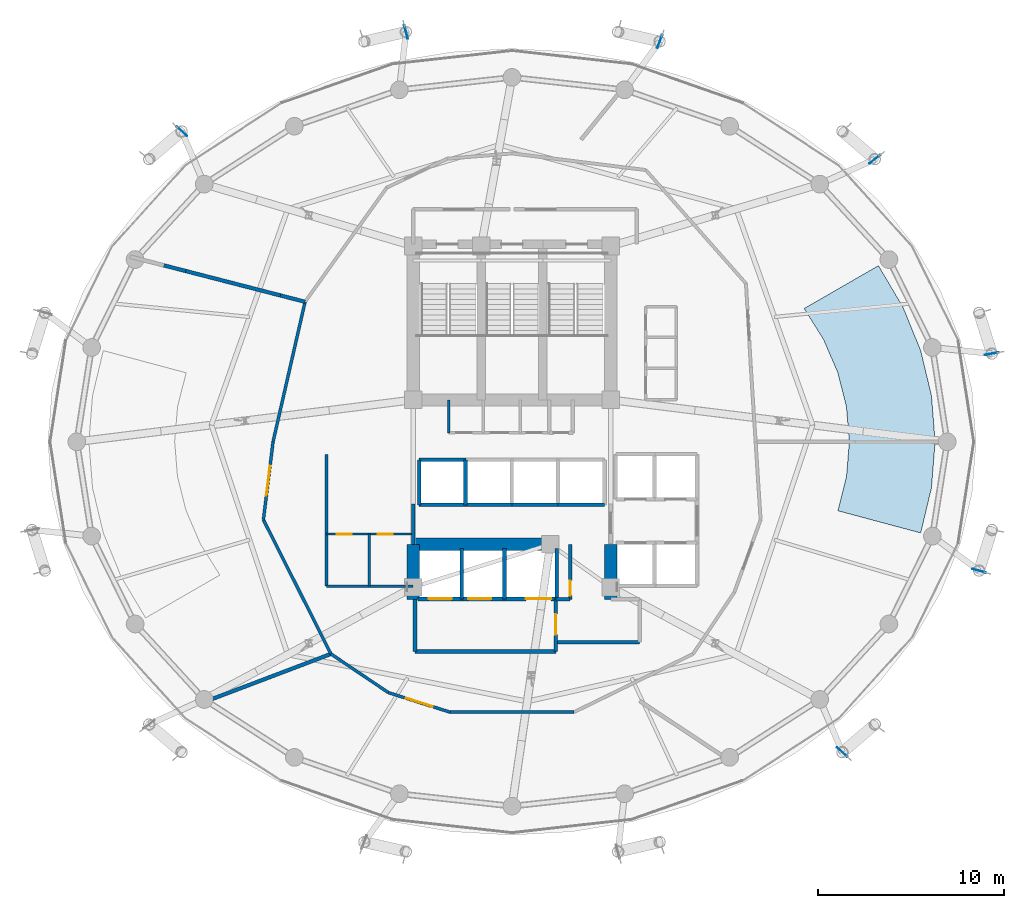
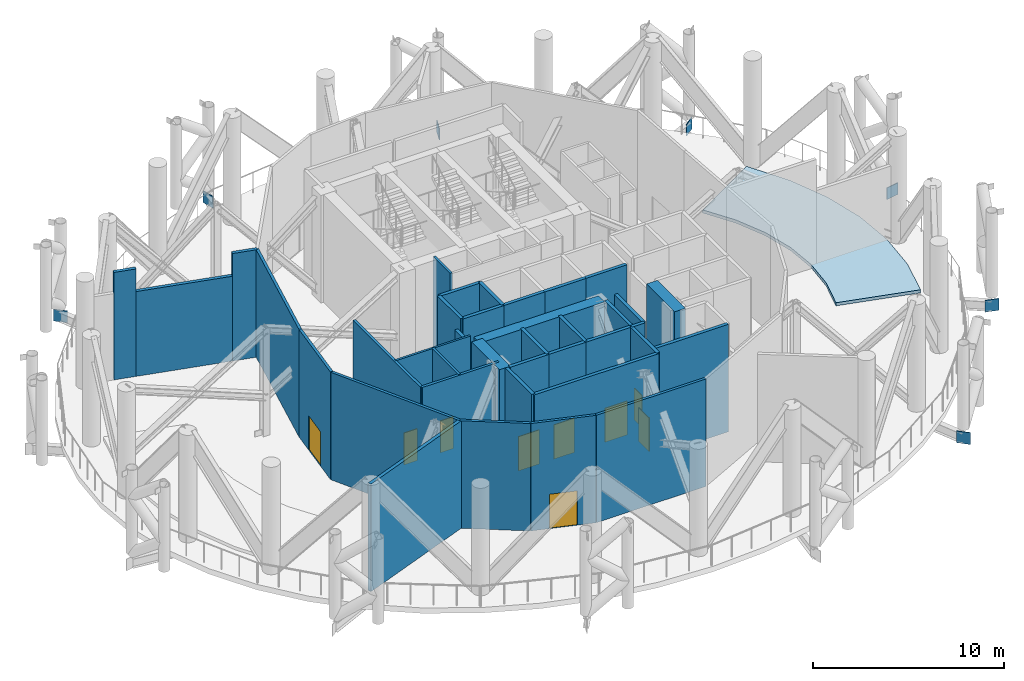
# One storey, part 7 of 18: 38 walls, 9 doors, 7 plates, 1 slab, 9 openings.
"""IFC4 building model written with IfcOpenShell, lengths in metres."""

from ifc_helpers import new_model, si_unit, direction, frame, frame_2d, origin, origin_2d, place, context, subcontext, project, spatial, polyline, rectangle, outline, extrude, material, layer, layer_set, type_object, element, fill, save


model = new_model("IFC4")

# Units and contexts
model_context = context("Model", 3, precision=1e-05, world=origin(), true_north=direction((0.0, 1.0)))
body_context = subcontext(model_context, "Body", "Model", "MODEL_VIEW")
ifc_project = project(units=[si_unit("LENGTHUNIT", "METRE"), si_unit("AREAUNIT", "SQUARE_METRE"), si_unit("VOLUMEUNIT", "CUBIC_METRE"), si_unit("PLANEANGLEUNIT", "RADIAN"), si_unit("MASSUNIT", "GRAM", prefix="KILO")], contexts=[model_context])

# Site, building, storey
site_placement = place(None, origin())
site = spatial("IfcSite", under=ifc_project, at=site_placement, CompositionType="ELEMENT")
building_placement = place(site_placement, origin())
building = spatial("IfcBuilding", under=site, at=building_placement, Name="Nuhasar Tower", CompositionType="ELEMENT")
storey_placement = place(building_placement, frame((0.0, 0.0, 195.949951171875)))
storey = spatial("IfcBuildingStorey", under=building, at=storey_placement, Name="L48", CompositionType="ELEMENT", Elevation=195.949951171875)

# Plates
ifc_material_1 = material(Name="Steel S460", Category="steel")
ifc_layer_1 = layer(ifc_material_1, 0.0400390625)
ifc_layer_set_1 = layer_set([ifc_layer_1], Name="Steel S460")
plate_type = type_object("IfcPlateType", Name="PLT-GUSSET-40", PredefinedType="SHEET", material=ifc_layer_set_1)
for number, where, z_axis, x_axis, name in (
    (1, (64.748046875, 31.52587890625, -1.031005859375), (0.0, 0.0, 1.0), (0.98356832001, 0.180536311784, 0.0), "L48 Bronze Diagrid Gusset Node Plate 01"),
    (2, (58.470947265625, 41.9619140625, -1.031005859375), (0.0, 0.0, 1.0), (0.788998306749, 0.614395371034, 0.0), "L48 Bronze Diagrid Gusset Node Plate 02"),
    (3, (46.927978515625, 48.27587890625, -1.031005859375), (0.0, 0.0, 1.0), (0.346313543819, 0.938118824759, 0.0), "L48 Bronze Diagrid Gusset Node Plate 03"),
    (4, (33.31396484375, 48.7900390625, -1.031005859375), (0.0, 0.0, 1.0), (-0.250346209174, 0.968156379699, 0.0), "L48 Bronze Diagrid Gusset Node Plate 04"),
    (5, (21.277099609375, 43.45703125, -1.031005859375), (0.0, 0.0, 1.0), (-0.728681821056, 0.684852395529, 0.0), "L48 Bronze Diagrid Gusset Node Plate 05"),
    (6, (56.722900390625, 10.14306640625, -1.031005859375), (0.0, 0.0, 1.0), (0.728681821056, -0.684852395529, 0.0), "L48 Bronze Diagrid Gusset Node Plate 11"),
    (7, (64.06005859375, 19.87890625, -1.031005859375), (0.0, 0.0, 1.0), (0.963914422589, -0.266212294842, 0.0), "L48 Bronze Diagrid Gusset Node Plate 12"),
):
    element("IfcPlate", number, at=place(storey_placement, frame(where, z_axis=z_axis, x_axis=x_axis)), inside=storey, type_object=plate_type, Name=name, PredefinedType="SHEET", context=body_context, shape_type="SweptSolid", body=[
        extrude(rectangle(XDim=0.75, YDim=0.0400390625, at=origin_2d()), origin(), (0.0, 0.0, 1.0), 0.75),
    ])

# Slab
ifc_material_2 = material(Name="Concrete C50/60", Category="concrete")
ifc_layer_2 = layer(ifc_material_2, 0.199951171875)
ifc_layer_set_2 = layer_set([ifc_layer_2], Name="Concrete C50/60")
slab_type = type_object("IfcSlabType", Name="SLB-PLN-200", PredefinedType="BASESLAB", material=ifc_layer_set_2)
slab_placement = place(storey_placement, origin())
element("IfcSlab", 8, at=slab_placement, inside=storey, type_object=slab_type, Name="L48 Mechanical Plant Plinth Slab East", PredefinedType="BASESLAB", context=body_context, shape_type="SweptSolid", body=[
    extrude(outline(polyline([(60.927001953125, 21.907958984375), (61.506103515625, 24.3330078125), (61.699951171875, 26.800048828125), (61.506103515625, 29.26708984375), (60.927001953125, 31.69189453125), (59.971923828125, 34.032958984375), (58.658935546875, 36.25), (54.675048828125, 33.949951171875), (55.721923828125, 32.27197265625), (56.48291015625, 30.5009765625), (56.945068359375, 28.6669921875), (57.10009765625, 26.800048828125), (56.945068359375, 24.93310546875), (56.48291015625, 23.09912109375), (60.927001953125, 21.907958984375)])), origin(), (0.0, 0.0, 1.0), 0.199951171875),
])

# Walls
ifc_material_3 = material(Name="Concrete C65/80", Category="concrete")
ifc_layer_3 = layer(ifc_material_3, 0.64990234375)
ifc_layer_set_3 = layer_set([ifc_layer_3], Name="Concrete C65/80")
wall_type_1 = type_object("IfcWallType", Name="WL-CORE-650", PredefinedType="SHEAR", material=ifc_layer_set_3)
for number, where, z_axis, x_axis, name in (
    (9, (33.699951171875, 18.35009765625, 0.0), (0.0, 0.0, 1.0), (0.0, 1.0, 0.0), "L48 Core Shear Wall CW-SW CW-650"),
    (10, (44.300048828125, 18.35009765625, 0.0), (0.0, 0.0, 1.0), (0.0, 1.0, 0.0), "L48 Core Shear Wall CW-SE CW-650"),
):
    element("IfcWall", number, at=place(storey_placement, frame(where, z_axis=z_axis, x_axis=x_axis)), inside=storey, type_object=wall_type_1, Name=name, PredefinedType="SHEAR", context=body_context, shape_type="SweptSolid", body=[
        extrude(rectangle(XDim=2.949951171875, YDim=0.64990234375, at=frame_2d((1.47509765625, 0.0))), origin(), (0.0, 0.0, 1.0), 6.880126953125),
    ])
wall_1_placement = place(storey_placement, frame((33.699951171875, 21.300048828125, 0.0), z_axis=(0.0, 0.0, 1.0), x_axis=(1.0, 0.0, 0.0)))
element("IfcWall", 11, at=wall_1_placement, inside=storey, type_object=wall_type_1, Name="L48 Core Shear Wall CW-S1 CW-650", PredefinedType="SHEAR", context=body_context, shape_type="SweptSolid", body=[
    extrude(rectangle(XDim=7.550048828125, YDim=0.64990234375, at=frame_2d((3.77490234375, 0.0))), origin(), (0.0, 0.0, 1.0), 6.880126953125),
])
ifc_material_4 = material(Name="Gypsum Board", Category="gypsum")
ifc_layer_4 = layer(ifc_material_4, 0.159912109375)
ifc_layer_set_4 = layer_set([ifc_layer_4], Name="Gypsum Board")
wall_type_2 = type_object("IfcWallType", Name="WL-CORR-160", PredefinedType="PARTITIONING", material=ifc_layer_set_4)
wall_2_placement = place(storey_placement, frame((29.050048828125, 19.050048828125, 0.0), z_axis=(0.0, 0.0, 1.0), x_axis=(1.0, 0.0, 0.0)))
element("IfcWall", 12, at=wall_2_placement, inside=storey, type_object=wall_type_2, Name="L48 Interior Partition RECL-B1-S", PredefinedType="PARTITIONING", context=body_context, shape_type="SweptSolid", body=[
    extrude(rectangle(XDim=4.64990234375, YDim=0.159912109375, at=frame_2d((2.324951171875, 0.0))), origin(), (0.0, 0.0, 1.0), 6.880126953125),
])
wall_3_placement = place(storey_placement, frame((29.050048828125, 19.050048828125, 0.0), z_axis=(0.0, 0.0, 1.0), x_axis=(0.0, 1.0, 0.0)))
element("IfcWall", 13, at=wall_3_placement, inside=storey, type_object=wall_type_2, Name="L48 Interior Partition RECL-B1-W", PredefinedType="PARTITIONING", context=body_context, shape_type="SweptSolid", body=[
    extrude(rectangle(XDim=7.070068359375, YDim=0.159912109375, at=frame_2d((3.53515625, 0.0))), origin(), (0.0, 0.0, 1.0), 6.880126953125),
])
wall_4_placement = place(storey_placement, frame((27.89794921875, 34.31005859375, 0.0), z_axis=(0.0, 0.0, 1.0), x_axis=(-0.223002916051, -0.974817777553, 0.0)))
element("IfcWall", 14, at=wall_4_placement, inside=storey, type_object=wall_type_2, Name="L48 Interior Partition CORR-20", PredefinedType="PARTITIONING", context=body_context, shape_type="SweptSolid", body=[
    extrude(rectangle(XDim=7.7041015625, YDim=0.159912109375, at=frame_2d((3.85205078125, 0.0))), origin(), (0.0, 0.0, 1.0), 6.880126953125),
])

# Wall, opening, door
wall_5_placement = place(storey_placement, frame((25.6630859375, 22.614013671875, 0.0), z_axis=(0.0, 0.0, 1.0), x_axis=(0.122538537921, 0.992463755874, 0.0)))
wall_5 = element("IfcWall", 15, at=wall_5_placement, inside=storey, type_object=wall_type_2, Name="L48 Interior Partition CORR-24", PredefinedType="PARTITIONING", context=body_context, shape_type="SweptSolid", body=[
    extrude(rectangle(XDim=4.2177734375, YDim=0.159912109375, at=frame_2d((2.10888671875, 0.0))), origin(), (0.0, 0.0, 1.0), 6.880126953125),
])
opening_1_placement = place(wall_5_placement, frame((1.30908203125, 0.0, 0.0)))
opening_1 = element("IfcOpeningElement", 16, at=opening_1_placement, cuts=wall_5, Name="Opening DC-01", PredefinedType="OPENING", context=body_context, shape_type="SweptSolid", body=[
    extrude(rectangle(XDim=1.60009765625, YDim=2.199951171875, at=frame_2d((0.800048828125, 1.10009765625))), frame((0.0, 0.08984375, 0.0), z_axis=(0.0, -1.0, 0.0), x_axis=(1.0, 0.0, 0.0)), (0.0, 0.0, 1.0), 0.179931640625),
])
ifc_material_5 = material(Name="Steel S355", Category="steel")
door_type_1 = type_object("IfcDoorType", Name="DR-CORR-FD60-1600", OperationType="DOUBLE_DOOR_SINGLE_SWING", PredefinedType="DOOR", material=ifc_material_5)
door_1_placement = place(opening_1_placement, origin())
door_1 = element("IfcDoor", 17, at=door_1_placement, inside=storey, type_object=door_type_1, Name="L48 West Refuge Area Door", OperationType="DOUBLE_DOOR_SINGLE_SWING", OverallHeight=2.199951171875, OverallWidth=1.60009765625, PredefinedType="DOOR", context=body_context, shape_type="SweptSolid", body=[
    extrude(rectangle(XDim=1.60009765625, YDim=2.199951171875, at=frame_2d((0.800048828125, 1.10009765625))), frame((0.0, 0.02490234375, 0.0), z_axis=(0.0, -1.0, 0.0), x_axis=(1.0, 0.0, 0.0)), (0.0, 0.0, 1.0), 0.050048828125),
])
fill(opening_1, door_1)

# Walls
wall_6_placement = place(storey_placement, frame((25.6630859375, 22.614013671875, 0.0), z_axis=(0.0, 0.0, 1.0), x_axis=(0.449672541353, -0.893193487187, 0.0)))
element("IfcWall", 18, at=wall_6_placement, inside=storey, type_object=wall_type_2, Name="L48 Interior Partition CORR-26", PredefinedType="PARTITIONING", context=body_context, shape_type="SweptSolid", body=[
    extrude(rectangle(XDim=8.056640625, YDim=0.159912109375, at=frame_2d((4.0283203125, 0.0))), origin(), (0.0, 0.0, 1.0), 6.880126953125),
])
wall_7_placement = place(storey_placement, frame((29.285888671875, 15.41796875, 0.0), z_axis=(0.0, 0.0, 1.0), x_axis=(0.829606474383, -0.558348544962, 0.0)))
element("IfcWall", 19, at=wall_7_placement, inside=storey, type_object=wall_type_2, Name="L48 Interior Partition CORR-30", PredefinedType="PARTITIONING", context=body_context, shape_type="SweptSolid", body=[
    extrude(rectangle(XDim=3.71630859375, YDim=0.159912109375, at=frame_2d((1.858154296875, 0.0))), origin(), (0.0, 0.0, 1.0), 6.880126953125),
])

# Wall, opening, door
wall_8_placement = place(storey_placement, frame((35.681884765625, 12.2919921875, 0.0), z_axis=(0.0, 0.0, 1.0), x_axis=(-0.953183734956, 0.302391744951, 0.0)))
wall_8 = element("IfcWall", 20, at=wall_8_placement, inside=storey, type_object=wall_type_2, Name="L48 Interior Partition CORR-32", PredefinedType="PARTITIONING", context=body_context, shape_type="SweptSolid", body=[
    extrude(rectangle(XDim=3.4755859375, YDim=0.159912109375, at=frame_2d((1.73779296875, 0.0))), origin(), (0.0, 0.0, 1.0), 6.880126953125),
])
opening_2_placement = place(wall_8_placement, frame((0.988037109375, 0.0, 0.0)))
opening_2 = element("IfcOpeningElement", 21, at=opening_2_placement, cuts=wall_8, Name="Opening DP-01", PredefinedType="OPENING", context=body_context, shape_type="SweptSolid", body=[
    extrude(rectangle(XDim=1.5, YDim=2.199951171875, at=frame_2d((0.75, 1.10009765625))), frame((0.0, 0.08984375, 0.0), z_axis=(0.0, -1.0, 0.0), x_axis=(1.0, 0.0, 0.0)), (0.0, 0.0, 1.0), 0.179931640625),
])
door_type_2 = type_object("IfcDoorType", Name="DR-PLANT-FD120-1500", OperationType="DOUBLE_DOOR_SINGLE_SWING", PredefinedType="DOOR", material=ifc_material_5)
door_2_placement = place(opening_2_placement, origin())
door_2 = element("IfcDoor", 22, at=door_2_placement, inside=storey, type_object=door_type_2, Name="L48 South Chiller & Pump Plant Door", OperationType="DOUBLE_DOOR_SINGLE_SWING", OverallHeight=2.199951171875, OverallWidth=1.5, PredefinedType="DOOR", context=body_context, shape_type="SweptSolid", body=[
    extrude(rectangle(XDim=1.5, YDim=2.199951171875, at=frame_2d((0.75, 1.10009765625))), frame((0.0, 0.02490234375, 0.0), z_axis=(0.0, -1.0, 0.0), x_axis=(1.0, 0.0, 0.0)), (0.0, 0.0, 1.0), 0.050048828125),
])
fill(opening_2, door_2)

# Walls
wall_9_placement = place(storey_placement, frame((35.681884765625, 12.2919921875, 0.0), z_axis=(0.0, 0.0, 1.0), x_axis=(1.0, 0.0, 0.0)))
element("IfcWall", 23, at=wall_9_placement, inside=storey, type_object=wall_type_2, Name="L48 Interior Partition CORR-34", PredefinedType="PARTITIONING", context=body_context, shape_type="SweptSolid", body=[
    extrude(rectangle(XDim=6.63623046875, YDim=0.159912109375, at=frame_2d((3.318115234375, 0.0))), origin(), (0.0, 0.0, 1.0), 6.880126953125),
])
ifc_material_6 = material(Name="Concrete C45/55", Category="concrete")
ifc_layer_5 = layer(ifc_material_6, 0.199951171875)
ifc_layer_set_5 = layer_set([ifc_layer_5], Name="Concrete C45/55")
wall_type_3 = type_object("IfcWallType", Name="WL-LOBBY-200", PredefinedType="SOLIDWALL", material=ifc_layer_set_5)
wall_10_placement = place(storey_placement, frame((33.699951171875, 21.300048828125, 0.0), z_axis=(0.0, 0.0, 1.0), x_axis=(0.0, 1.0, 0.0)))
element("IfcWall", 24, at=wall_10_placement, inside=storey, type_object=wall_type_3, Name="L48 Interior Partition LLBH-W", PredefinedType="SOLIDWALL", context=body_context, shape_type="SweptSolid", body=[
    extrude(rectangle(XDim=2.14990234375, YDim=0.199951171875, at=frame_2d((1.074951171875, 0.0))), origin(), (0.0, 0.0, 1.0), 6.26513671875),
])
wall_11_placement = place(storey_placement, frame((33.800048828125, 15.550048828125, 0.0), z_axis=(0.0, 0.0, 1.0), x_axis=(1.0, 0.0, 0.0)))
element("IfcWall", 25, at=wall_11_placement, inside=storey, type_object=wall_type_3, Name="L48 Interior Partition FFL-S", PredefinedType="SOLIDWALL", context=body_context, shape_type="SweptSolid", body=[
    extrude(rectangle(XDim=7.550048828125, YDim=0.199951171875, at=frame_2d((3.77490234375, 0.0))), origin(), (0.0, 0.0, 1.0), 6.880126953125),
])
wall_12_placement = place(storey_placement, frame((33.800048828125, 15.550048828125, 0.0), z_axis=(0.0, 0.0, 1.0), x_axis=(0.0, 1.0, 0.0)))
element("IfcWall", 26, at=wall_12_placement, inside=storey, type_object=wall_type_3, Name="L48 Interior Partition FFL-W", PredefinedType="SOLIDWALL", context=body_context, shape_type="SweptSolid", body=[
    extrude(rectangle(XDim=2.800048828125, YDim=0.199951171875, at=frame_2d((1.39990234375, 0.0))), origin(), (0.0, 0.0, 1.0), 6.880126953125),
])

# Wall, opening, door
wall_13_placement = place(storey_placement, frame((41.35009765625, 15.550048828125, 0.0), z_axis=(0.0, 0.0, 1.0), x_axis=(0.0, 1.0, 0.0)))
wall_13 = element("IfcWall", 27, at=wall_13_placement, inside=storey, type_object=wall_type_3, Name="L48 Interior Partition FFL-E", PredefinedType="SOLIDWALL", context=body_context, shape_type="SweptSolid", body=[
    extrude(rectangle(XDim=2.800048828125, YDim=0.199951171875, at=frame_2d((1.39990234375, 0.0))), origin(), (0.0, 0.0, 1.0), 6.880126953125),
])
opening_3_placement = place(wall_13_placement, frame((0.89990234375, 0.0, 0.0)))
opening_3 = element("IfcOpeningElement", 28, at=opening_3_placement, cuts=wall_13, Name="Opening DS-02", PredefinedType="OPENING", context=body_context, shape_type="SweptSolid", body=[
    extrude(rectangle(XDim=1.10009765625, YDim=2.14990234375, at=frame_2d((0.550048828125, 1.074951171875))), frame((0.0, 0.10986328125, 0.0), z_axis=(0.0, -1.0, 0.0), x_axis=(1.0, 0.0, 0.0)), (0.0, 0.0, 1.0), 0.219970703125),
])
door_type_3 = type_object("IfcDoorType", Name="DR-FFL-FD120-1100", OperationType="NOTDEFINED", PredefinedType="DOOR", material=ifc_material_5)
door_3_placement = place(opening_3_placement, origin())
door_3 = element("IfcDoor", 29, at=door_3_placement, inside=storey, type_object=door_type_3, Name="L48 Firefighting Lobby Door", OperationType="SINGLE_SWING_RIGHT", OverallHeight=2.14990234375, OverallWidth=1.10009765625, PredefinedType="DOOR", context=body_context, shape_type="SweptSolid", body=[
    extrude(rectangle(XDim=1.10009765625, YDim=2.14990234375, at=frame_2d((0.550048828125, 1.074951171875))), frame((0.0, 0.02490234375, 0.0), z_axis=(0.0, -1.0, 0.0), x_axis=(1.0, 0.0, 0.0)), (0.0, 0.0, 1.0), 0.050048828125),
])
fill(opening_3, door_3)

# Walls
wall_14_placement = place(storey_placement, frame((41.35009765625, 16.050048828125, 0.0), z_axis=(0.0, 0.0, 1.0), x_axis=(1.0, 0.0, 0.0)))
element("IfcWall", 30, at=wall_14_placement, inside=storey, type_object=wall_type_3, Name="L48 Interior Partition SVLV-S", PredefinedType="SOLIDWALL", context=body_context, shape_type="SweptSolid", body=[
    extrude(rectangle(XDim=4.5, YDim=0.199951171875, at=frame_2d((2.25, 0.0))), origin(), (0.0, 0.0, 1.0), 6.880126953125),
])
wall_15_placement = place(storey_placement, frame((27.89794921875, 34.31005859375, 0.0), z_axis=(0.0, 0.0, 1.0), x_axis=(-0.968211797472, 0.250131795733, 0.0)))
element("IfcWall", 31, at=wall_15_placement, inside=storey, type_object=wall_type_3, Name="L48 Interior Partition WRAD-20", PredefinedType="SOLIDWALL", context=body_context, shape_type="SweptSolid", body=[
    extrude(rectangle(XDim=1.367431640625, YDim=0.199951171875, at=frame_2d((0.68359375, 0.0))), origin(), (0.0, 0.0, 1.0), 6.880126953125),
])
wall_16_placement = place(storey_placement, frame((26.573974609375, 34.652099609375, 0.0), z_axis=(0.0, 0.0, 1.0), x_axis=(-0.968315487536, 0.249730087491, 0.0)))
element("IfcWall", 32, at=wall_16_placement, inside=storey, type_object=wall_type_3, Name="L48 Interior Partition WRAD-20", PredefinedType="SOLIDWALL", context=body_context, shape_type="SweptSolid", body=[
    extrude(rectangle(XDim=5.240966796875, YDim=0.199951171875, at=frame_2d((2.62060546875, 0.0))), origin(), (0.0, 0.0, 1.0), 5.429931640625),
])
wall_17_placement = place(storey_placement, frame((21.4990234375, 35.9609375, 0.0), z_axis=(0.0, 0.0, 1.0), x_axis=(-0.968373282232, 0.249505884216, 0.0)))
element("IfcWall", 33, at=wall_17_placement, inside=storey, type_object=wall_type_3, Name="L48 Interior Partition WRAD-20", PredefinedType="SOLIDWALL", context=body_context, shape_type="SweptSolid", body=[
    extrude(rectangle(XDim=1.21044921875, YDim=0.199951171875, at=frame_2d((0.605224609375, 0.0))), origin(), (0.0, 0.0, 1.0), 6.880126953125),
])
wall_18_placement = place(storey_placement, frame((29.285888671875, 15.41796875, 0.0), z_axis=(0.0, 0.0, 1.0), x_axis=(-0.934893013083, -0.354929646674, 0.0)))
element("IfcWall", 34, at=wall_18_placement, inside=storey, type_object=wall_type_3, Name="L48 Interior Partition WRAD-30", PredefinedType="SOLIDWALL", context=body_context, shape_type="SweptSolid", body=[
    extrude(rectangle(XDim=7.508544921875, YDim=0.199951171875, at=frame_2d((3.75439453125, 0.0))), origin(), (0.0, 0.0, 1.0), 6.880126953125),
])

# Wall, openings, doors
ifc_layer_6 = layer(ifc_material_4, 0.125)
ifc_layer_set_6 = layer_set([ifc_layer_6], Name="Gypsum Board")
wall_type_4 = type_object("IfcWallType", Name="WL-PART-125", PredefinedType="PARTITIONING", material=ifc_layer_set_6)
wall_19_placement = place(storey_placement, frame((33.60009765625, 21.85009765625, 0.0), z_axis=(0.0, 0.0, 1.0), x_axis=(-1.0, 0.0, 0.0)))
wall_19 = element("IfcWall", 35, at=wall_19_placement, inside=storey, type_object=wall_type_4, Name="L48 Interior Partition HKPK1-N", PredefinedType="PARTITIONING", context=body_context, shape_type="SweptSolid", body=[
    extrude(rectangle(XDim=4.550048828125, YDim=0.125, at=frame_2d((2.27490234375, 0.0))), origin(), (0.0, 0.0, 1.0), 6.880126953125),
])
opening_4_placement = place(wall_19_placement, frame((3.199951171875, 0.0, 0.0)))
opening_4 = element("IfcOpeningElement", 36, at=opening_4_placement, cuts=wall_19, Name="Opening DM-01", PredefinedType="OPENING", context=body_context, shape_type="SweptSolid", body=[
    extrude(rectangle(XDim=0.800048828125, YDim=2.050048828125, at=frame_2d((0.39990234375, 1.02490234375))), frame((0.0, 0.072509765625, 0.0), z_axis=(0.0, -1.0, 0.0), x_axis=(1.0, 0.0, 0.0)), (0.0, 0.0, 1.0), 0.14501953125),
])
opening_5_placement = place(wall_19_placement, frame((1.0, 0.0, 0.0)))
opening_5 = element("IfcOpeningElement", 37, at=opening_5_placement, cuts=wall_19, Name="Opening DM-01", PredefinedType="OPENING", context=body_context, shape_type="SweptSolid", body=[
    extrude(rectangle(XDim=0.800048828125, YDim=2.050048828125, at=frame_2d((0.39990234375, 1.02490234375))), frame((0.0, 0.072509765625, 0.0), z_axis=(0.0, -1.0, 0.0), x_axis=(1.0, 0.0, 0.0)), (0.0, 0.0, 1.0), 0.14501953125),
])
door_type_4 = type_object("IfcDoorType", Name="DR-RISER-FD60-800", OperationType="NOTDEFINED", PredefinedType="DOOR", material=ifc_material_5)
door_4_placement = place(opening_4_placement, origin())
door_4 = element("IfcDoor", 38, at=door_4_placement, inside=storey, type_object=door_type_4, Name="L48 Housekeeping Closet Door", OperationType="SINGLE_SWING_RIGHT", OverallHeight=2.050048828125, OverallWidth=0.800048828125, PredefinedType="DOOR", context=body_context, shape_type="SweptSolid", body=[
    extrude(rectangle(XDim=0.800048828125, YDim=2.050048828125, at=frame_2d((0.39990234375, 1.02490234375))), frame((0.0, 0.02490234375, 0.0), z_axis=(0.0, -1.0, 0.0), x_axis=(1.0, 0.0, 0.0)), (0.0, 0.0, 1.0), 0.050048828125),
])
fill(opening_4, door_4)
door_5_placement = place(opening_5_placement, origin())
door_5 = element("IfcDoor", 39, at=door_5_placement, inside=storey, type_object=door_type_4, Name="L48 Linen Store Door", OperationType="SINGLE_SWING_LEFT", OverallHeight=2.050048828125, OverallWidth=0.800048828125, PredefinedType="DOOR", context=body_context, shape_type="SweptSolid", body=[
    extrude(rectangle(XDim=0.800048828125, YDim=2.050048828125, at=frame_2d((0.39990234375, 1.02490234375))), frame((0.0, 0.02490234375, 0.0), z_axis=(0.0, -1.0, 0.0), x_axis=(1.0, 0.0, 0.0)), (0.0, 0.0, 1.0), 0.050048828125),
])
fill(opening_5, door_5)

# Walls
wall_20_placement = place(storey_placement, frame((31.35009765625, 19.050048828125, 0.0), z_axis=(0.0, 0.0, 1.0), x_axis=(0.0, 1.0, 0.0)))
element("IfcWall", 40, at=wall_20_placement, inside=storey, type_object=wall_type_4, Name="L48 Interior Partition HKPK1-V", PredefinedType="PARTITIONING", context=body_context, shape_type="SweptSolid", body=[
    extrude(rectangle(XDim=2.800048828125, YDim=0.125, at=frame_2d((1.39990234375, 0.0))), origin(), (0.0, 0.0, 1.0), 6.880126953125),
])
ifc_layer_7 = layer(ifc_material_6, 0.199951171875)
ifc_layer_set_7 = layer_set([ifc_layer_7], Name="Concrete C45/55")
wall_type_5 = type_object("IfcWallType", Name="WL-SHAFT-200", PredefinedType="SOLIDWALL", material=ifc_layer_set_7)
for number, where, z_axis, x_axis, name in (
    (41, (34.02001953125, 23.419921875, 0.0), (0.0, 0.0, 1.0), (1.0, 0.0, 0.0), "L48 Interior Partition SHF-PL-H01-S"),
    (42, (34.02001953125, 25.830078125, 0.0), (0.0, 0.0, 1.0), (1.0, 0.0, 0.0), "L48 Interior Partition SHF-PL-H01-N"),
):
    element("IfcWall", number, at=place(storey_placement, frame(where, z_axis=z_axis, x_axis=x_axis)), inside=storey, type_object=wall_type_5, Name=name, PredefinedType="SOLIDWALL", context=body_context, shape_type="SweptSolid", body=[
        extrude(rectangle(XDim=2.5, YDim=0.199951171875, at=frame_2d((1.25, 0.0))), origin(), (0.0, 0.0, 1.0), 6.880126953125),
    ])
for number, where, z_axis, x_axis, name in (
    (43, (34.02001953125, 23.419921875, 0.0), (0.0, 0.0, 1.0), (0.0, 1.0, 0.0), "L48 Interior Partition SHF-PL-H01-W"),
    (44, (36.510009765625, 23.419921875, 0.0), (0.0, 0.0, 1.0), (0.0, 1.0, 0.0), "L48 Interior Partition SHF-PL-H01-E"),
):
    element("IfcWall", number, at=place(storey_placement, frame(where, z_axis=z_axis, x_axis=x_axis)), inside=storey, type_object=wall_type_5, Name=name, PredefinedType="SOLIDWALL", context=body_context, shape_type="SweptSolid", body=[
        extrude(rectangle(XDim=2.41015625, YDim=0.199951171875, at=frame_2d((1.205078125, 0.0))), origin(), (0.0, 0.0, 1.0), 6.880126953125),
    ])
for number, where, z_axis, x_axis, name in (
    (45, (36.5, 23.419921875, 0.0), (0.0, 0.0, 1.0), (1.0, 0.0, 0.0), "L48 Interior Partition SHF-PL-H02-S"),
    (46, (38.97998046875, 23.419921875, 0.0), (0.0, 0.0, 1.0), (1.0, 0.0, 0.0), "L48 Interior Partition SHF-PL-H03-S"),
    (47, (41.4599609375, 23.419921875, 0.0), (0.0, 0.0, 1.0), (1.0, 0.0, 0.0), "L48 Interior Partition SHF-PL-H04-S"),
):
    element("IfcWall", number, at=place(storey_placement, frame(where, z_axis=z_axis, x_axis=x_axis)), inside=storey, type_object=wall_type_5, Name=name, PredefinedType="SOLIDWALL", context=body_context, shape_type="SweptSolid", body=[
        extrude(rectangle(XDim=2.5, YDim=0.199951171875, at=frame_2d((1.25, 0.0))), origin(), (0.0, 0.0, 1.0), 6.880126953125),
    ])

# Wall, opening, door
wall_21_placement = place(storey_placement, frame((33.969970703125, 18.3701171875, 0.0), z_axis=(0.0, 0.0, 1.0), x_axis=(1.0, 0.0, 0.0)))
wall_21 = element("IfcWall", 48, at=wall_21_placement, inside=storey, type_object=wall_type_5, Name="L48 Interior Partition SHF-FFL-01-S", PredefinedType="SOLIDWALL", context=body_context, shape_type="SweptSolid", body=[
    extrude(rectangle(XDim=2.360107421875, YDim=0.199951171875, at=frame_2d((1.18017578125, 0.0))), origin(), (0.0, 0.0, 1.0), 6.880126953125),
])
opening_6_placement = place(wall_21_placement, frame((0.554931640625, 0.0, 0.0)))
opening_6 = element("IfcOpeningElement", 49, at=opening_6_placement, cuts=wall_21, Name="Opening LD-F01", PredefinedType="OPENING", context=body_context, shape_type="SweptSolid", body=[
    extrude(rectangle(XDim=1.25, YDim=2.199951171875, at=frame_2d((0.625, 1.10009765625))), frame((0.0, 0.10986328125, 0.0), z_axis=(0.0, -1.0, 0.0), x_axis=(1.0, 0.0, 0.0)), (0.0, 0.0, 1.0), 0.219970703125),
])
ifc_material_7 = material(Name="Stainless Steel 316L", Category="steel")
door_type_5 = type_object("IfcDoorType", Name="LD-FFL-1250", OperationType="DOUBLE_DOOR_SLIDING", PredefinedType="DOOR", material=ifc_material_7)
door_6_placement = place(opening_6_placement, origin())
door_6 = element("IfcDoor", 50, at=door_6_placement, inside=storey, type_object=door_type_5, Name="L48 Lift Landing Door FFL-01", OperationType="DOUBLE_DOOR_SLIDING", OverallHeight=2.199951171875, OverallWidth=1.25, PredefinedType="DOOR", context=body_context, shape_type="SweptSolid", body=[
    extrude(rectangle(XDim=1.25, YDim=2.199951171875, at=frame_2d((0.625, 1.10009765625))), frame((0.0, 0.02490234375, 0.0), z_axis=(0.0, -1.0, 0.0), x_axis=(1.0, 0.0, 0.0)), (0.0, 0.0, 1.0), 0.050048828125),
])
fill(opening_6, door_6)

# Wall
wall_22_placement = place(storey_placement, frame((36.300048828125, 18.3701171875, 0.0), z_axis=(0.0, 0.0, 1.0), x_axis=(0.0, 1.0, 0.0)))
element("IfcWall", 51, at=wall_22_placement, inside=storey, type_object=wall_type_5, Name="L48 Interior Partition SHF-FFL-01-E", PredefinedType="SOLIDWALL", context=body_context, shape_type="SweptSolid", body=[
    extrude(rectangle(XDim=2.7099609375, YDim=0.199951171875, at=frame_2d((1.35498046875, 0.0))), origin(), (0.0, 0.0, 1.0), 6.880126953125),
])

# Wall, opening, door
wall_23_placement = place(storey_placement, frame((36.27001953125, 18.3701171875, 0.0), z_axis=(0.0, 0.0, 1.0), x_axis=(1.0, 0.0, 0.0)))
wall_23 = element("IfcWall", 52, at=wall_23_placement, inside=storey, type_object=wall_type_5, Name="L48 Interior Partition SHF-FFL-02-S", PredefinedType="SOLIDWALL", context=body_context, shape_type="SweptSolid", body=[
    extrude(rectangle(XDim=2.35986328125, YDim=0.199951171875, at=frame_2d((1.179931640625, 0.0))), origin(), (0.0, 0.0, 1.0), 6.880126953125),
])
opening_7_placement = place(wall_23_placement, frame((0.3798828125, 0.0, 0.0)))
opening_7 = element("IfcOpeningElement", 53, at=opening_7_placement, cuts=wall_23, Name="Opening LD-F02", PredefinedType="OPENING", context=body_context, shape_type="SweptSolid", body=[
    extrude(rectangle(XDim=1.25, YDim=2.199951171875, at=frame_2d((0.625, 1.10009765625))), frame((0.0, 0.10986328125, 0.0), z_axis=(0.0, -1.0, 0.0), x_axis=(1.0, 0.0, 0.0)), (0.0, 0.0, 1.0), 0.219970703125),
])
door_7_placement = place(opening_7_placement, origin())
door_7 = element("IfcDoor", 54, at=door_7_placement, inside=storey, type_object=door_type_5, Name="L48 Lift Landing Door FFL-02", OperationType="DOUBLE_DOOR_SLIDING", OverallHeight=2.199951171875, OverallWidth=1.25, PredefinedType="DOOR", context=body_context, shape_type="SweptSolid", body=[
    extrude(rectangle(XDim=1.25, YDim=2.199951171875, at=frame_2d((0.625, 1.10009765625))), frame((0.0, 0.02490234375, 0.0), z_axis=(0.0, -1.0, 0.0), x_axis=(1.0, 0.0, 0.0)), (0.0, 0.0, 1.0), 0.050048828125),
])
fill(opening_7, door_7)

# Wall
wall_24_placement = place(storey_placement, frame((38.60009765625, 18.3701171875, 0.0), z_axis=(0.0, 0.0, 1.0), x_axis=(0.0, 1.0, 0.0)))
element("IfcWall", 55, at=wall_24_placement, inside=storey, type_object=wall_type_5, Name="L48 Interior Partition SHF-FFL-02-E", PredefinedType="SOLIDWALL", context=body_context, shape_type="SweptSolid", body=[
    extrude(rectangle(XDim=2.7099609375, YDim=0.199951171875, at=frame_2d((1.35498046875, 0.0))), origin(), (0.0, 0.0, 1.0), 6.880126953125),
])

# Wall, opening, door
wall_25_placement = place(storey_placement, frame((38.570068359375, 18.3701171875, 0.0), z_axis=(0.0, 0.0, 1.0), x_axis=(1.0, 0.0, 0.0)))
wall_25 = element("IfcWall", 56, at=wall_25_placement, inside=storey, type_object=wall_type_5, Name="L48 Interior Partition SHF-SVL-01-S", PredefinedType="SOLIDWALL", context=body_context, shape_type="SweptSolid", body=[
    extrude(rectangle(XDim=2.829833984375, YDim=0.199951171875, at=frame_2d((1.4150390625, 0.0))), origin(), (0.0, 0.0, 1.0), 6.880126953125),
])
opening_8_placement = place(wall_25_placement, frame((1.179931640625, 0.0, 0.0)))
opening_8 = element("IfcOpeningElement", 57, at=opening_8_placement, cuts=wall_25, Name="Opening LD-S01", PredefinedType="OPENING", context=body_context, shape_type="SweptSolid", body=[
    extrude(rectangle(XDim=1.35009765625, YDim=2.179931640625, at=frame_2d((0.675048828125, 1.08984375))), frame((0.0, 0.10986328125, 0.0), z_axis=(0.0, -1.0, 0.0), x_axis=(1.0, 0.0, 0.0)), (0.0, 0.0, 1.0), 0.219970703125),
])
door_type_6 = type_object("IfcDoorType", Name="LD-SVL-1350", OperationType="DOUBLE_DOOR_SLIDING", PredefinedType="DOOR", material=ifc_material_7)
door_8_placement = place(opening_8_placement, origin())
door_8 = element("IfcDoor", 58, at=door_8_placement, inside=storey, type_object=door_type_6, Name="L48 Lift Landing Door SVL-01", OperationType="DOUBLE_DOOR_SLIDING", OverallHeight=2.179931640625, OverallWidth=1.35009765625, PredefinedType="DOOR", context=body_context, shape_type="SweptSolid", body=[
    extrude(rectangle(XDim=1.35009765625, YDim=2.179931640625, at=frame_2d((0.675048828125, 1.08984375))), frame((0.0, 0.02490234375, 0.0), z_axis=(0.0, -1.0, 0.0), x_axis=(1.0, 0.0, 0.0)), (0.0, 0.0, 1.0), 0.050048828125),
])
fill(opening_8, door_8)

# Wall
wall_26_placement = place(storey_placement, frame((41.39990234375, 18.3701171875, 0.0), z_axis=(0.0, 0.0, 1.0), x_axis=(0.0, 1.0, 0.0)))
element("IfcWall", 59, at=wall_26_placement, inside=storey, type_object=wall_type_5, Name="L48 Interior Partition SHF-SVL-01-E", PredefinedType="SOLIDWALL", context=body_context, shape_type="SweptSolid", body=[
    extrude(rectangle(XDim=2.7099609375, YDim=0.199951171875, at=frame_2d((1.35498046875, 0.0))), origin(), (0.0, 0.0, 1.0), 6.880126953125),
])

# Wall, opening, door
wall_27_placement = place(storey_placement, frame((42.1201171875, 18.35009765625, 0.0), z_axis=(0.0, 0.0, 1.0), x_axis=(0.0, 1.0, 0.0)))
wall_27 = element("IfcWall", 60, at=wall_27_placement, inside=storey, type_object=wall_type_5, Name="L48 Interior Partition RSR-E", PredefinedType="SOLIDWALL", context=body_context, shape_type="SweptSolid", body=[
    extrude(rectangle(XDim=2.949951171875, YDim=0.199951171875, at=frame_2d((1.47509765625, 0.0))), origin(), (0.0, 0.0, 1.0), 6.880126953125),
])
opening_9_placement = place(wall_27_placement, frame((0.199951171875, 0.0, 0.0)))
opening_9 = element("IfcOpeningElement", 61, at=opening_9_placement, cuts=wall_27, Name="Opening DM-01", PredefinedType="OPENING", context=body_context, shape_type="SweptSolid", body=[
    extrude(rectangle(XDim=0.800048828125, YDim=2.050048828125, at=frame_2d((0.39990234375, 1.02490234375))), frame((0.0, 0.10986328125, 0.0), z_axis=(0.0, -1.0, 0.0), x_axis=(1.0, 0.0, 0.0)), (0.0, 0.0, 1.0), 0.219970703125),
])
door_9_placement = place(opening_9_placement, origin())
door_9 = element("IfcDoor", 62, at=door_9_placement, inside=storey, type_object=door_type_4, Name="L48 MEP Riser Access Door", OperationType="SINGLE_SWING_LEFT", OverallHeight=2.050048828125, OverallWidth=0.800048828125, PredefinedType="DOOR", context=body_context, shape_type="SweptSolid", body=[
    extrude(rectangle(XDim=0.800048828125, YDim=2.050048828125, at=frame_2d((0.39990234375, 1.02490234375))), frame((0.0, 0.02490234375, 0.0), z_axis=(0.0, -1.0, 0.0), x_axis=(1.0, 0.0, 0.0)), (0.0, 0.0, 1.0), 0.050048828125),
])
fill(opening_9, door_9)

# Walls
wall_28_placement = place(storey_placement, frame((41.35009765625, 18.35009765625, 0.0), z_axis=(0.0, 0.0, 1.0), x_axis=(1.0, 0.0, 0.0)))
element("IfcWall", 63, at=wall_28_placement, inside=storey, type_object=wall_type_5, Name="L48 Interior Partition RSR-S", PredefinedType="SOLIDWALL", context=body_context, shape_type="SweptSolid", body=[
    extrude(rectangle(XDim=0.77001953125, YDim=0.199951171875, at=frame_2d((0.385009765625, 0.0))), origin(), (0.0, 0.0, 1.0), 6.880126953125),
])
ifc_material_8 = material(Name="Concrete C40/50 precast", Category="concrete")
ifc_layer_8 = layer(ifc_material_8, 0.139892578125)
ifc_layer_set_8 = layer_set([ifc_layer_8], Name="Concrete C40/50 precast")
wall_type_6 = type_object("IfcWallType", Name="WL-WET-140", PredefinedType="PARTITIONING", material=ifc_layer_set_8)
wall_29_placement = place(storey_placement, frame((35.60009765625, 27.280029296875, 0.0), z_axis=(0.0, 0.0, 1.0), x_axis=(0.0, 1.0, 0.0)))
element("IfcWall", 64, at=wall_29_placement, inside=storey, type_object=wall_type_6, Name="L48 Interior Partition CSVC-W", PredefinedType="PARTITIONING", context=body_context, shape_type="SweptSolid", body=[
    extrude(rectangle(XDim=1.77001953125, YDim=0.139892578125, at=frame_2d((0.885009765625, 0.0))), origin(), (0.0, 0.0, 1.0), 6.880126953125),
])

save(model, "model.ifc")
